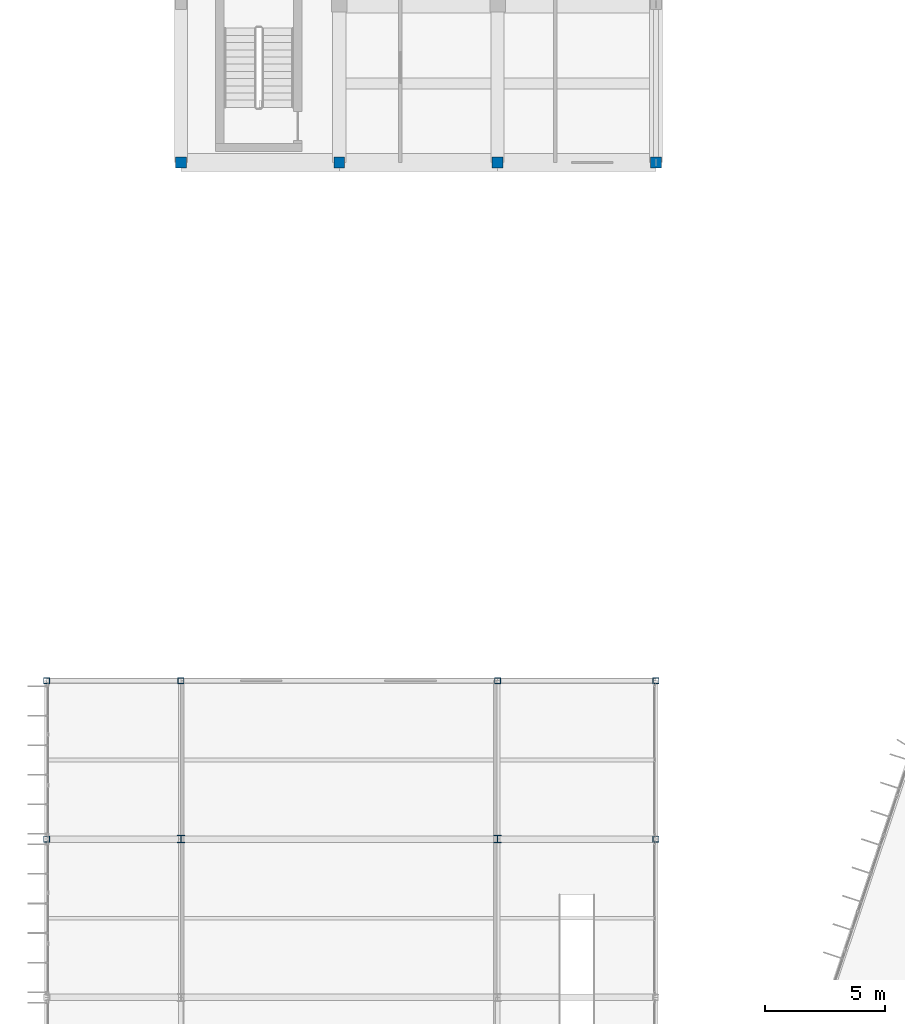
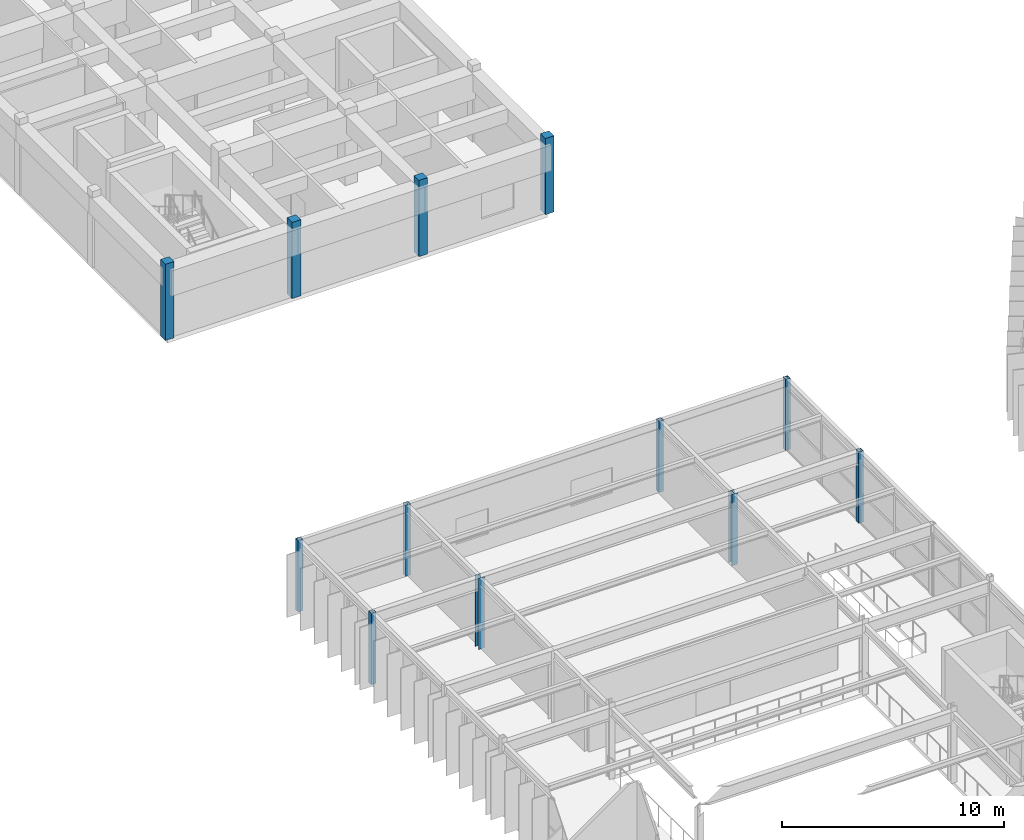
# One storey, part 13 of 157: 12 columns.
"""IFC4 building model written with IfcOpenShell, lengths in metres."""

from ifc_helpers import new_model, si_unit, direction, frame, origin, origin_2d, place, context, subcontext, project, spatial, rectangle, hollow_rectangle, i_section, extrude, material, material_profile, profile_set, type_object, element, save


model = new_model("IFC4")

# Units and contexts
model_context = context("Model", 3, precision=1e-05, world=origin(), true_north=direction((0.0, 1.0)))
body_context = subcontext(model_context, "Body", "Model", "MODEL_VIEW")
ifc_project = project(units=[si_unit("LENGTHUNIT", "METRE"), si_unit("AREAUNIT", "SQUARE_METRE"), si_unit("VOLUMEUNIT", "CUBIC_METRE"), si_unit("PLANEANGLEUNIT", "RADIAN"), si_unit("MASSUNIT", "GRAM", prefix="KILO")], contexts=[model_context])

# Site, building, storey
site_placement = place(None, origin())
site = spatial("IfcSite", under=ifc_project, at=site_placement, CompositionType="ELEMENT")
building_placement = place(site_placement, origin())
building = spatial("IfcBuilding", under=site, at=building_placement, Name="Karori Crest Natural Sciences Institute", CompositionType="ELEMENT")
storey_placement = place(building_placement, frame((0.0, 0.0, 13.300048828125)))
storey = spatial("IfcBuildingStorey", under=building, at=storey_placement, Name="L03", CompositionType="ELEMENT", Elevation=13.300048828125)

# Columns
ifc_material_1 = material(Name="Structural steel AS/NZS 3679.1 Grade 350", Category="steel")
ifc_material_profile_1 = material_profile(ifc_material_1, i_section(OverallWidth=0.306884765625, OverallDepth=0.31494140625, WebThickness=0.011962890625, FlangeThickness=0.018798828125, FilletRadius=0.01708984375, at=origin_2d()), Name="310UC118")
ifc_profile_set_1 = profile_set([ifc_material_profile_1], Name="Structural steel AS/NZS 3679.1 Grade 350")
column_type_1 = type_object("IfcColumnType", Name="CT-05", PredefinedType="COLUMN", material=ifc_profile_set_1)
for number, where, z_axis, x_axis, name in (
    (1, (7.39990234375, 66.800048828125, 0.0), (0.0, 0.0, 1.0), (1.0, 0.0, 0.0), "Column C-0613"),
    (2, (20.60009765625, 66.800048828125, 0.0), (0.0, 0.0, 1.0), (1.0, 0.0, 0.0), "Column C-0658"),
):
    element("IfcColumn", number, at=place(storey_placement, frame(where, z_axis=z_axis, x_axis=x_axis)), inside=storey, type_object=column_type_1, Name=name, PredefinedType="COLUMN", context=body_context, shape_type="SweptSolid", body=[
        extrude(i_section(OverallWidth=0.306884765625, OverallDepth=0.31494140625, WebThickness=0.011962890625, FlangeThickness=0.018798828125, FilletRadius=0.01708984375, at=origin_2d()), origin(), (0.0, 0.0, 1.0), 3.919921875),
    ])
ifc_material_2 = material(Name="Hollow structural steel AS/NZS 1163 Grade C350", Category="steel")
ifc_material_profile_2 = material_profile(ifc_material_2, hollow_rectangle(XDim=0.25, YDim=0.25, WallThickness=0.012451171875, at=origin_2d()), Name="SHS250x250x12.5")
ifc_profile_set_2 = profile_set([ifc_material_profile_2], Name="Hollow structural steel AS/NZS 1163 Grade C350")
column_type_2 = type_object("IfcColumnType", Name="CT-12", PredefinedType="COLUMN", material=ifc_profile_set_2)
for number, where, z_axis, x_axis, name in (
    (3, (1.800048828125, 66.800048828125, 0.0), (0.0, 0.0, 1.0), (1.0, 0.0, 0.0), "Column C-0568"),
    (4, (1.800048828125, 73.39990234375, 0.0), (0.0, 0.0, 1.0), (1.0, 0.0, 0.0), "Column C-0573"),
    (5, (7.39990234375, 73.39990234375, 0.0), (0.0, 0.0, 1.0), (1.0, 0.0, 0.0), "Column C-0618"),
    (6, (20.60009765625, 73.39990234375, 0.0), (0.0, 0.0, 1.0), (1.0, 0.0, 0.0), "Column C-0663"),
    (7, (27.199951171875, 66.800048828125, 0.0), (0.0, 0.0, 1.0), (1.0, 0.0, 0.0), "Column C-0703"),
    (8, (27.199951171875, 73.39990234375, 0.0), (0.0, 0.0, 1.0), (1.0, 0.0, 0.0), "Column C-0708"),
):
    element("IfcColumn", number, at=place(storey_placement, frame(where, z_axis=z_axis, x_axis=x_axis)), inside=storey, type_object=column_type_2, Name=name, PredefinedType="COLUMN", context=body_context, shape_type="SweptSolid", body=[
        extrude(hollow_rectangle(XDim=0.25, YDim=0.25, WallThickness=0.012451171875, at=origin_2d()), origin(), (0.0, 0.0, 1.0), 3.919921875),
    ])
ifc_material_3 = material(Name="Concrete 50 MPa", Category="concrete")
ifc_material_profile_3 = material_profile(ifc_material_3, rectangle(XDim=0.449951171875, YDim=0.449951171875, at=origin_2d()), Name="RC450x450")
ifc_profile_set_3 = profile_set([ifc_material_profile_3], Name="Concrete 50 MPa")
column_type_3 = type_object("IfcColumnType", Name="CT-23", PredefinedType="PILASTER", material=ifc_profile_set_3)
for number, where, z_axis, x_axis, name in (
    (9, (7.39990234375, 95.0, 0.0), (0.0, 0.0, 1.0), (1.0, 0.0, 0.0), "Column C-0713"),
    (10, (14.0, 95.0, 0.0), (0.0, 0.0, 1.0), (1.0, 0.0, 0.0), "Column C-0790"),
    (11, (20.60009765625, 95.0, 0.0), (0.0, 0.0, 1.0), (1.0, 0.0, 0.0), "Column C-0867"),
    (12, (27.199951171875, 95.0, 0.0), (0.0, 0.0, 1.0), (1.0, 0.0, 0.0), "Column C-0944"),
):
    element("IfcColumn", number, at=place(storey_placement, frame(where, z_axis=z_axis, x_axis=x_axis)), inside=storey, type_object=column_type_3, Name=name, PredefinedType="PILASTER", context=body_context, shape_type="SweptSolid", body=[
        extrude(rectangle(XDim=0.449951171875, YDim=0.449951171875, at=origin_2d()), origin(), (0.0, 0.0, 1.0), 4.199951171875),
    ])

save(model, "model.ifc")
